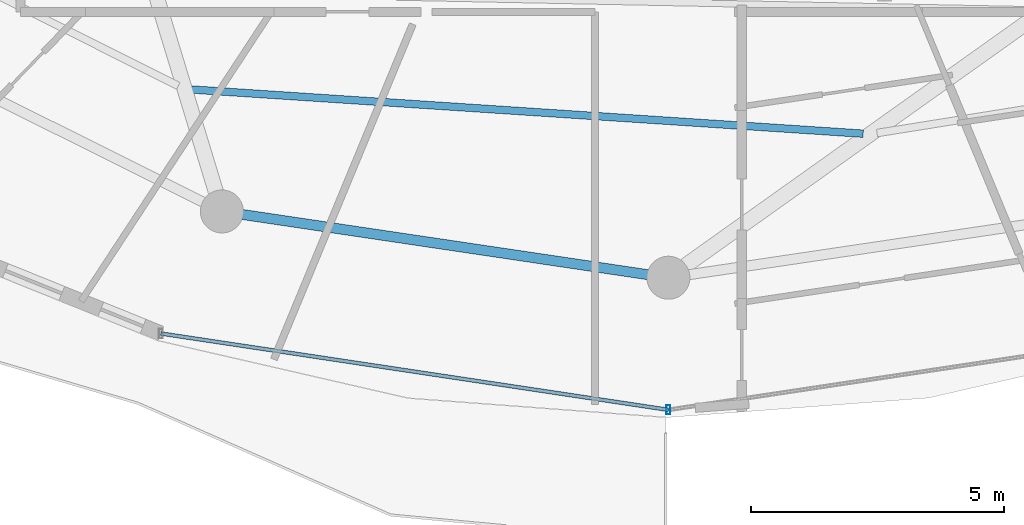
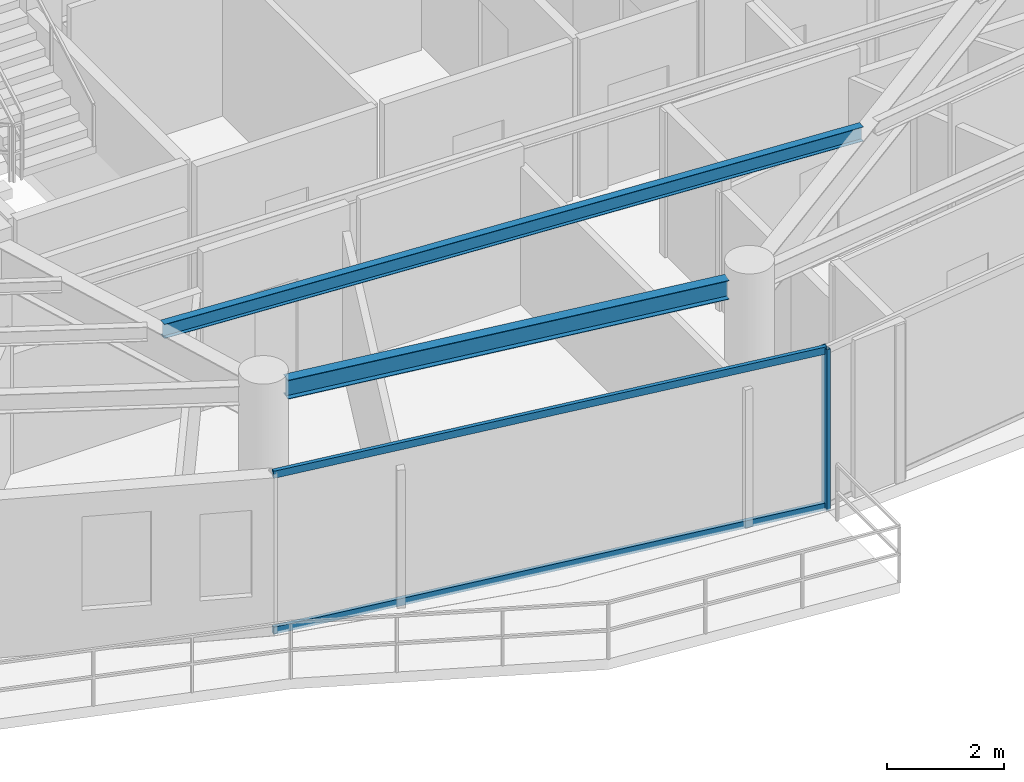
# One storey, part 5 of 31: 3 members, 2 beams, 1 element without a shape of its own.
"""IFC4 building model written with IfcOpenShell, lengths in metres."""

from ifc_helpers import new_model, si_unit, direction, frame, origin, origin_2d, place, context, subcontext, project, spatial, hollow_rectangle, i_section, extrude, material, material_profile, profile_set, type_object, element, aggregate, save


model = new_model("IFC4")

# Units and contexts
model_context = context("Model", 3, precision=1e-05, world=origin(), true_north=direction((0.0, 1.0)))
body_context = subcontext(model_context, "Body", "Model", "MODEL_VIEW")
ifc_project = project(units=[si_unit("LENGTHUNIT", "METRE"), si_unit("AREAUNIT", "SQUARE_METRE"), si_unit("VOLUMEUNIT", "CUBIC_METRE"), si_unit("PLANEANGLEUNIT", "RADIAN"), si_unit("MASSUNIT", "GRAM", prefix="KILO")], contexts=[model_context])

# Site, building, storey
site_placement = place(None, origin())
site = spatial("IfcSite", under=ifc_project, at=site_placement, CompositionType="ELEMENT")
building_placement = place(site_placement, origin())
building = spatial("IfcBuilding", under=site, at=building_placement, Name="Vorneva Point Tower", CompositionType="ELEMENT")
storey_placement = place(building_placement, frame((0.0, 0.0, 248.449951171875)))
storey = spatial("IfcBuildingStorey", under=building, at=storey_placement, Name="L67", CompositionType="ELEMENT", Elevation=248.449951171875)

# Beams
ifc_material_1 = material(Name="Steel S355", Category="steel")
ifc_material_profile_1 = material_profile(ifc_material_1, i_section(OverallWidth=0.14892578125, OverallDepth=0.298095703125, WebThickness=0.005615234375, FlangeThickness=0.008056640625, at=origin_2d()), Name="30B1")
ifc_profile_set_1 = profile_set([ifc_material_profile_1], Name="Steel S355")
beam_type_1 = type_object("IfcBeamType", Name="BM-JST-30B1", PredefinedType="JOIST", material=ifc_profile_set_1)
beam_1_placement = place(storey_placement, frame((28.5810546875, 12.5185546875, 3.14111328125), z_axis=(0.997841748634, -0.065664637992, 0.0), x_axis=(0.065664637992, 0.997841748634, 0.0)))
element("IfcBeam", 1, at=beam_1_placement, inside=storey, type_object=beam_type_1, Name="L67 Secondary Floor Beam 1.12", PredefinedType="JOIST", context=body_context, shape_type="SweptSolid", body=[
    extrude(i_section(OverallWidth=0.14892578125, OverallDepth=0.298095703125, WebThickness=0.005615234375, FlangeThickness=0.008056640625, at=origin_2d()), origin(), (0.0, 0.0, 1.0), 13.295654296875),
])
ifc_material_profile_2 = material_profile(ifc_material_1, i_section(OverallWidth=0.198974609375, OverallDepth=0.39599609375, WebThickness=0.007080078125, FlangeThickness=0.010986328125, at=origin_2d()), Name="40B1")
ifc_profile_set_2 = profile_set([ifc_material_profile_2], Name="Steel S355")
beam_type_2 = type_object("IfcBeamType", Name="BM-SPN-40B1", PredefinedType="SPANDREL", material=ifc_profile_set_2)
beam_2_placement = place(storey_placement, frame((29.584716796875, 10.049072265625, 3.092041015625), z_axis=(0.989161657331, -0.146830567886, 0.0), x_axis=(0.146830567886, 0.989161657331, 0.0)))
element("IfcBeam", 2, at=beam_2_placement, inside=storey, type_object=beam_type_2, Name="L67 Perimeter Spandrel Ring Beam 12", PredefinedType="SPANDREL", context=body_context, shape_type="SweptSolid", body=[
    extrude(i_section(OverallWidth=0.198974609375, OverallDepth=0.39599609375, WebThickness=0.007080078125, FlangeThickness=0.010986328125, at=origin_2d()), origin(), (0.0, 0.0, 1.0), 8.097412109375),
])

# Curtain wall, members
ifc_material_2 = material(Name="Pale anodised aluminium", Category="aluminium")
curtain_wall_type = type_object("IfcCurtainWallType", Name="CW-RES-SYS", PredefinedType="NOTDEFINED", material=ifc_material_2)
curtain_wall_placement = place(storey_placement, origin())
curtain_wall = element("IfcCurtainWall", 3, at=curtain_wall_placement, inside=storey, type_object=curtain_wall_type, Name="L67 Unitised Curtain Wall CW-L67-R04", PredefinedType="NOTDEFINED")
ifc_material_profile_3 = material_profile(ifc_material_2, hollow_rectangle(XDim=0.074951171875, YDim=0.179931640625, WallThickness=0.00390625, at=origin_2d()), Name="AL-MUL 180x75x4")
ifc_profile_set_3 = profile_set([ifc_material_profile_3], Name="Pale anodised aluminium")
member_type_1 = type_object("IfcMemberType", Name="CW-MUL-180", PredefinedType="MULLION", material=ifc_profile_set_3)
member_1_placement = place(storey_placement, frame((38.0, 6.18994140625, -0.0400390625), z_axis=(0.0, 0.0, 1.0), x_axis=(1.0, 0.0, 0.0)))
member_1 = element("IfcMember", 4, at=member_1_placement, type_object=member_type_1, Name="CW-L67-R04 Mullion 02", PredefinedType="MULLION", context=body_context, shape_type="SweptSolid", body=[
    extrude(hollow_rectangle(XDim=0.074951171875, YDim=0.179931640625, WallThickness=0.00390625, at=origin_2d()), origin(), (0.0, 0.0, 1.0), 3.360107421875),
])
ifc_material_profile_4 = material_profile(ifc_material_2, hollow_rectangle(XDim=0.074951171875, YDim=0.14990234375, WallThickness=0.00390625, at=origin_2d()), Name="AL-TRN 150x75x4")
ifc_profile_set_4 = profile_set([ifc_material_profile_4], Name="Pale anodised aluminium")
member_type_2 = type_object("IfcMemberType", Name="CW-TRN-150", PredefinedType="USERDEFINED", material=ifc_profile_set_4)
member_2_placement = place(storey_placement, frame((27.9736328125, 7.697998046875, 0.02001953125), z_axis=(0.988876929856, -0.148736066907, 0.0), x_axis=(0.148736066907, 0.988876929856, 0.0)))
member_2 = element("IfcMember", 5, at=member_2_placement, type_object=member_type_2, Name="CW-L67-R04 Transom 01.1", ObjectType="TRANSOM", PredefinedType="USERDEFINED", context=body_context, shape_type="SweptSolid", body=[
    extrude(hollow_rectangle(XDim=0.074951171875, YDim=0.14990234375, WallThickness=0.00390625, at=origin_2d()), origin(), (0.0, 0.0, 1.0), 10.13916015625),
])
member_3_placement = place(storey_placement, frame((27.9736328125, 7.697998046875, 3.27001953125), z_axis=(0.988876929856, -0.148736066907, 0.0), x_axis=(0.148736066907, 0.988876929856, 0.0)))
member_3 = element("IfcMember", 6, at=member_3_placement, type_object=member_type_2, Name="CW-L67-R04 Transom 01.2", ObjectType="TRANSOM", PredefinedType="USERDEFINED", context=body_context, shape_type="SweptSolid", body=[
    extrude(hollow_rectangle(XDim=0.074951171875, YDim=0.14990234375, WallThickness=0.00390625, at=origin_2d()), origin(), (0.0, 0.0, 1.0), 10.13916015625),
])
aggregate(curtain_wall, [member_1, member_2, member_3])

save(model, "model.ifc")
